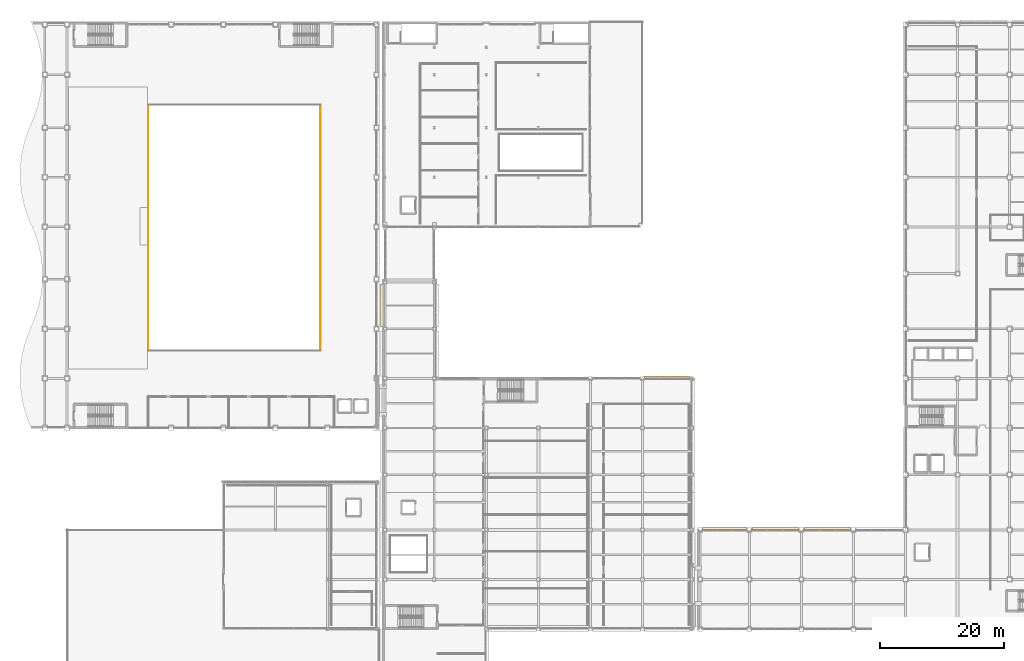
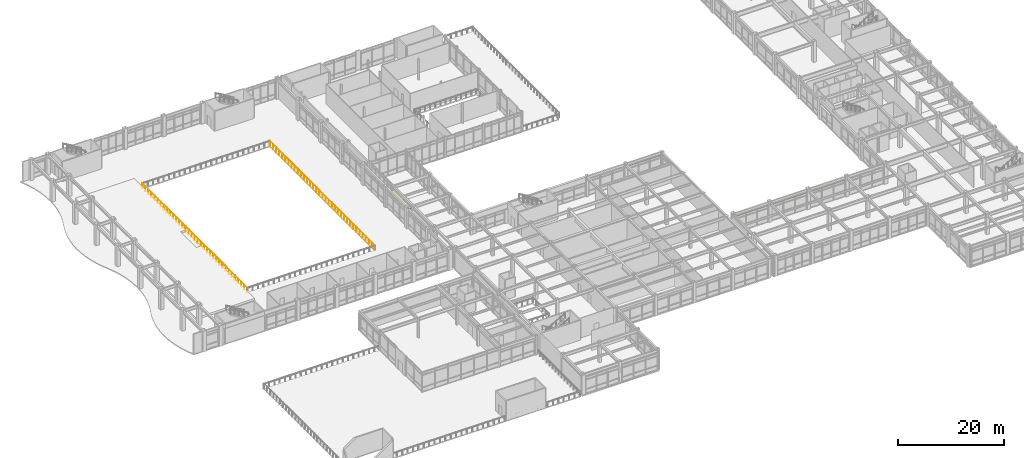
# One storey, part 145 of 154: 5 coverings, 2 railings.
"""IFC4 building model written with IfcOpenShell, lengths in metres."""

from ifc_helpers import new_model, si_unit, direction, frame, origin, origin_2d, place, context, subcontext, project, spatial, rectangle, circle, extrude, material, layer, layer_set, type_object, element, save


model = new_model("IFC4")

# Units and contexts
model_context = context("Model", 3, precision=1e-05, world=origin(), true_north=direction((0.0, 1.0)))
body_context = subcontext(model_context, "Body", "Model", "MODEL_VIEW")
ifc_project = project(units=[si_unit("LENGTHUNIT", "METRE"), si_unit("AREAUNIT", "SQUARE_METRE"), si_unit("VOLUMEUNIT", "CUBIC_METRE"), si_unit("PLANEANGLEUNIT", "RADIAN"), si_unit("MASSUNIT", "GRAM", prefix="KILO")], contexts=[model_context])

# Site, building, storey
site_placement = place(None, origin())
site = spatial("IfcSite", under=ifc_project, at=site_placement, CompositionType="ELEMENT")
building_placement = place(site_placement, origin())
building = spatial("IfcBuilding", under=site, at=building_placement, Name="Kazehara Bluff Congress Hotel", CompositionType="ELEMENT")
storey_placement = place(building_placement, frame((0.0, 0.0, 10.199951171875)))
storey = spatial("IfcBuildingStorey", under=building, at=storey_placement, Name="L02", CompositionType="ELEMENT", Elevation=10.199951171875)

# Coverings
ifc_material_1 = material(Name="Anodised aluminium architectural brise-soleil", Category="aluminium")
ifc_layer = layer(ifc_material_1, 0.10009765625)
ifc_layer_set = layer_set([ifc_layer], Name="Anodised aluminium architectural brise-soleil")
covering_type = type_object("IfcCoveringType", Name="TP-FAC-FIN", PredefinedType="CLADDING", material=ifc_layer_set)
covering_1_placement = place(storey_placement, frame((105.22509765625, 56.590087890625, 3.715087890625), z_axis=(0.0, 0.0, 1.0), x_axis=(1.0, 0.0, 0.0)))
element("IfcCovering", 1, at=covering_1_placement, inside=storey, type_object=covering_type, Name="L02 V4 architectural sun-hood 92", PredefinedType="CLADDING", context=body_context, shape_type="SweptSolid", body=[
    extrude(rectangle(XDim=7.300048828125, YDim=0.52001953125, at=origin_2d()), origin(), (0.0, 0.0, 1.0), 0.10009765625),
])
covering_2_placement = place(storey_placement, frame((59.22998046875, 68.22509765625, 3.715087890625), z_axis=(0.0, 0.0, 1.0), x_axis=(1.0, 0.0, 0.0)))
element("IfcCovering", 2, at=covering_2_placement, inside=storey, type_object=covering_type, Name="L02 V4 architectural sun-hood 96", PredefinedType="CLADDING", context=body_context, shape_type="SweptSolid", body=[
    extrude(rectangle(XDim=0.52001953125, YDim=6.89990234375, at=origin_2d()), origin(), (0.0, 0.0, 1.0), 0.10009765625),
])
covering_3_placement = place(storey_placement, frame((114.52490234375, 32.139892578125, 3.715087890625), z_axis=(0.0, 0.0, 1.0), x_axis=(1.0, 0.0, 0.0)))
element("IfcCovering", 3, at=covering_3_placement, inside=storey, type_object=covering_type, Name="L02 V5 architectural sun-hood 128", PredefinedType="CLADDING", context=body_context, shape_type="SweptSolid", body=[
    extrude(rectangle(XDim=7.14990234375, YDim=0.52001953125, at=origin_2d()), origin(), (0.0, 0.0, 1.0), 0.10009765625),
])
for number, where, z_axis, x_axis, name in (
    (4, (122.699951171875, 32.139892578125, 3.715087890625), (0.0, 0.0, 1.0), (1.0, 0.0, 0.0), "L02 V5 architectural sun-hood 129"),
    (5, (131.10009765625, 32.139892578125, 3.715087890625), (0.0, 0.0, 1.0), (1.0, 0.0, 0.0), "L02 V5 architectural sun-hood 130"),
):
    element("IfcCovering", number, at=place(storey_placement, frame(where, z_axis=z_axis, x_axis=x_axis)), inside=storey, type_object=covering_type, Name=name, PredefinedType="CLADDING", context=body_context, shape_type="SweptSolid", body=[
        extrude(rectangle(XDim=7.60009765625, YDim=0.52001953125, at=origin_2d()), origin(), (0.0, 0.0, 1.0), 0.10009765625),
    ])

# Railings
ifc_material_2 = material(Name="Brushed stainless steel", Category="steel")
railing_type = type_object("IfcRailingType", Name="TP-GRD-INT", PredefinedType="GUARDRAIL", material=ifc_material_2)
railing_1_placement = place(storey_placement, frame((49.300048828125, 60.89990234375, 0.0)))
element("IfcRailing", 6, at=railing_1_placement, inside=storey, type_object=railing_type, Name="L02 V1-VOID void guardrail E", PredefinedType="GUARDRAIL", context=body_context, shape_type="SweptSolid", body=[
    extrude(circle(Radius=0.02392578125, at=origin_2d()), frame((0.0, 0.0, 1.076171875), z_axis=(0.0, 1.0, 0.0), x_axis=(-1.0, 0.0, 0.0)), (0.0, 0.0, 1.0), 39.6201171875),
    extrude(circle(Radius=0.02099609375, at=origin_2d()), origin(), (0.0, 0.0, 1.0), 1.052001953125),
    extrude(circle(Radius=0.02099609375, at=origin_2d()), frame((0.0, 1.165283203125, 0.0)), (0.0, 0.0, 1.0), 1.052001953125),
    extrude(circle(Radius=0.02099609375, at=origin_2d()), frame((0.0, 2.33056640625, 0.0)), (0.0, 0.0, 1.0), 1.052001953125),
    extrude(circle(Radius=0.02099609375, at=origin_2d()), frame((0.0, 3.495849609375, 0.0)), (0.0, 0.0, 1.0), 1.052001953125),
    extrude(circle(Radius=0.02099609375, at=origin_2d()), frame((0.0, 4.6611328125, 0.0)), (0.0, 0.0, 1.0), 1.052001953125),
    extrude(circle(Radius=0.02099609375, at=origin_2d()), frame((0.0, 5.826416015625, 0.0)), (0.0, 0.0, 1.0), 1.052001953125),
    extrude(circle(Radius=0.02099609375, at=origin_2d()), frame((0.0, 6.99169921875, 0.0)), (0.0, 0.0, 1.0), 1.052001953125),
    extrude(circle(Radius=0.02099609375, at=origin_2d()), frame((0.0, 8.156982421875, 0.0)), (0.0, 0.0, 1.0), 1.052001953125),
    extrude(circle(Radius=0.02099609375, at=origin_2d()), frame((0.0, 9.322265625, 0.0)), (0.0, 0.0, 1.0), 1.052001953125),
    extrude(circle(Radius=0.02099609375, at=origin_2d()), frame((0.0, 10.48779296875, 0.0)), (0.0, 0.0, 1.0), 1.052001953125),
    extrude(circle(Radius=0.02099609375, at=origin_2d()), frame((0.0, 11.653076171875, 0.0)), (0.0, 0.0, 1.0), 1.052001953125),
    extrude(circle(Radius=0.02099609375, at=origin_2d()), frame((0.0, 12.818359375, 0.0)), (0.0, 0.0, 1.0), 1.052001953125),
    extrude(circle(Radius=0.02099609375, at=origin_2d()), frame((0.0, 13.983642578125, 0.0)), (0.0, 0.0, 1.0), 1.052001953125),
    extrude(circle(Radius=0.02099609375, at=origin_2d()), frame((0.0, 15.14892578125, 0.0)), (0.0, 0.0, 1.0), 1.052001953125),
    extrude(circle(Radius=0.02099609375, at=origin_2d()), frame((0.0, 16.314208984375, 0.0)), (0.0, 0.0, 1.0), 1.052001953125),
    extrude(circle(Radius=0.02099609375, at=origin_2d()), frame((0.0, 17.4794921875, 0.0)), (0.0, 0.0, 1.0), 1.052001953125),
    extrude(circle(Radius=0.02099609375, at=origin_2d()), frame((0.0, 18.644775390625, 0.0)), (0.0, 0.0, 1.0), 1.052001953125),
    extrude(circle(Radius=0.02099609375, at=origin_2d()), frame((0.0, 19.81005859375, 0.0)), (0.0, 0.0, 1.0), 1.052001953125),
    extrude(circle(Radius=0.02099609375, at=origin_2d()), frame((0.0, 20.975341796875, 0.0)), (0.0, 0.0, 1.0), 1.052001953125),
    extrude(circle(Radius=0.02099609375, at=origin_2d()), frame((0.0, 22.140625, 0.0)), (0.0, 0.0, 1.0), 1.052001953125),
    extrude(circle(Radius=0.02099609375, at=origin_2d()), frame((0.0, 23.305908203125, 0.0)), (0.0, 0.0, 1.0), 1.052001953125),
    extrude(circle(Radius=0.02099609375, at=origin_2d()), frame((0.0, 24.47119140625, 0.0)), (0.0, 0.0, 1.0), 1.052001953125),
    extrude(circle(Radius=0.02099609375, at=origin_2d()), frame((0.0, 25.636474609375, 0.0)), (0.0, 0.0, 1.0), 1.052001953125),
    extrude(circle(Radius=0.02099609375, at=origin_2d()), frame((0.0, 26.8017578125, 0.0)), (0.0, 0.0, 1.0), 1.052001953125),
    extrude(circle(Radius=0.02099609375, at=origin_2d()), frame((0.0, 27.967041015625, 0.0)), (0.0, 0.0, 1.0), 1.052001953125),
    extrude(circle(Radius=0.02099609375, at=origin_2d()), frame((0.0, 29.13232421875, 0.0)), (0.0, 0.0, 1.0), 1.052001953125),
    extrude(circle(Radius=0.02099609375, at=origin_2d()), frame((0.0, 30.2978515625, 0.0)), (0.0, 0.0, 1.0), 1.052001953125),
    extrude(circle(Radius=0.02099609375, at=origin_2d()), frame((0.0, 31.463134765625, 0.0)), (0.0, 0.0, 1.0), 1.052001953125),
    extrude(circle(Radius=0.02099609375, at=origin_2d()), frame((0.0, 32.62841796875, 0.0)), (0.0, 0.0, 1.0), 1.052001953125),
    extrude(circle(Radius=0.02099609375, at=origin_2d()), frame((0.0, 33.793701171875, 0.0)), (0.0, 0.0, 1.0), 1.052001953125),
    extrude(circle(Radius=0.02099609375, at=origin_2d()), frame((0.0, 34.958984375, 0.0)), (0.0, 0.0, 1.0), 1.052001953125),
    extrude(circle(Radius=0.02099609375, at=origin_2d()), frame((0.0, 36.124267578125, 0.0)), (0.0, 0.0, 1.0), 1.052001953125),
    extrude(circle(Radius=0.02099609375, at=origin_2d()), frame((0.0, 37.28955078125, 0.0)), (0.0, 0.0, 1.0), 1.052001953125),
    extrude(circle(Radius=0.02099609375, at=origin_2d()), frame((0.0, 38.454833984375, 0.0)), (0.0, 0.0, 1.0), 1.052001953125),
    extrude(circle(Radius=0.02099609375, at=origin_2d()), frame((0.0, 39.6201171875, 0.0)), (0.0, 0.0, 1.0), 1.052001953125),
])
railing_2_placement = place(storey_placement, frame((21.5, 100.60009765625, 0.0)))
element("IfcRailing", 7, at=railing_2_placement, inside=storey, type_object=railing_type, Name="L02 V1-VOID void guardrail W", PredefinedType="GUARDRAIL", context=body_context, shape_type="SweptSolid", body=[
    extrude(circle(Radius=0.02392578125, at=origin_2d()), frame((0.0, 0.0, 1.076171875), z_axis=(0.0, -1.0, 0.0), x_axis=(1.0, 0.0, 0.0)), (0.0, 0.0, 1.0), 39.6201171875),
    extrude(circle(Radius=0.02099609375, at=origin_2d()), origin(), (0.0, 0.0, 1.0), 1.052001953125),
    extrude(circle(Radius=0.02099609375, at=origin_2d()), frame((0.0, -1.165283203125, 0.0)), (0.0, 0.0, 1.0), 1.052001953125),
    extrude(circle(Radius=0.02099609375, at=origin_2d()), frame((0.0, -2.33056640625, 0.0)), (0.0, 0.0, 1.0), 1.052001953125),
    extrude(circle(Radius=0.02099609375, at=origin_2d()), frame((0.0, -3.495849609375, 0.0)), (0.0, 0.0, 1.0), 1.052001953125),
    extrude(circle(Radius=0.02099609375, at=origin_2d()), frame((0.0, -4.6611328125, 0.0)), (0.0, 0.0, 1.0), 1.052001953125),
    extrude(circle(Radius=0.02099609375, at=origin_2d()), frame((0.0, -5.826416015625, 0.0)), (0.0, 0.0, 1.0), 1.052001953125),
    extrude(circle(Radius=0.02099609375, at=origin_2d()), frame((0.0, -6.99169921875, 0.0)), (0.0, 0.0, 1.0), 1.052001953125),
    extrude(circle(Radius=0.02099609375, at=origin_2d()), frame((0.0, -8.156982421875, 0.0)), (0.0, 0.0, 1.0), 1.052001953125),
    extrude(circle(Radius=0.02099609375, at=origin_2d()), frame((0.0, -9.322265625, 0.0)), (0.0, 0.0, 1.0), 1.052001953125),
    extrude(circle(Radius=0.02099609375, at=origin_2d()), frame((0.0, -10.48779296875, 0.0)), (0.0, 0.0, 1.0), 1.052001953125),
    extrude(circle(Radius=0.02099609375, at=origin_2d()), frame((0.0, -11.653076171875, 0.0)), (0.0, 0.0, 1.0), 1.052001953125),
    extrude(circle(Radius=0.02099609375, at=origin_2d()), frame((0.0, -12.818359375, 0.0)), (0.0, 0.0, 1.0), 1.052001953125),
    extrude(circle(Radius=0.02099609375, at=origin_2d()), frame((0.0, -13.983642578125, 0.0)), (0.0, 0.0, 1.0), 1.052001953125),
    extrude(circle(Radius=0.02099609375, at=origin_2d()), frame((0.0, -15.14892578125, 0.0)), (0.0, 0.0, 1.0), 1.052001953125),
    extrude(circle(Radius=0.02099609375, at=origin_2d()), frame((0.0, -16.314208984375, 0.0)), (0.0, 0.0, 1.0), 1.052001953125),
    extrude(circle(Radius=0.02099609375, at=origin_2d()), frame((0.0, -17.4794921875, 0.0)), (0.0, 0.0, 1.0), 1.052001953125),
    extrude(circle(Radius=0.02099609375, at=origin_2d()), frame((0.0, -18.644775390625, 0.0)), (0.0, 0.0, 1.0), 1.052001953125),
    extrude(circle(Radius=0.02099609375, at=origin_2d()), frame((0.0, -19.81005859375, 0.0)), (0.0, 0.0, 1.0), 1.052001953125),
    extrude(circle(Radius=0.02099609375, at=origin_2d()), frame((0.0, -20.975341796875, 0.0)), (0.0, 0.0, 1.0), 1.052001953125),
    extrude(circle(Radius=0.02099609375, at=origin_2d()), frame((0.0, -22.140625, 0.0)), (0.0, 0.0, 1.0), 1.052001953125),
    extrude(circle(Radius=0.02099609375, at=origin_2d()), frame((0.0, -23.305908203125, 0.0)), (0.0, 0.0, 1.0), 1.052001953125),
    extrude(circle(Radius=0.02099609375, at=origin_2d()), frame((0.0, -24.47119140625, 0.0)), (0.0, 0.0, 1.0), 1.052001953125),
    extrude(circle(Radius=0.02099609375, at=origin_2d()), frame((0.0, -25.636474609375, 0.0)), (0.0, 0.0, 1.0), 1.052001953125),
    extrude(circle(Radius=0.02099609375, at=origin_2d()), frame((0.0, -26.8017578125, 0.0)), (0.0, 0.0, 1.0), 1.052001953125),
    extrude(circle(Radius=0.02099609375, at=origin_2d()), frame((0.0, -27.967041015625, 0.0)), (0.0, 0.0, 1.0), 1.052001953125),
    extrude(circle(Radius=0.02099609375, at=origin_2d()), frame((0.0, -29.13232421875, 0.0)), (0.0, 0.0, 1.0), 1.052001953125),
    extrude(circle(Radius=0.02099609375, at=origin_2d()), frame((0.0, -30.2978515625, 0.0)), (0.0, 0.0, 1.0), 1.052001953125),
    extrude(circle(Radius=0.02099609375, at=origin_2d()), frame((0.0, -31.463134765625, 0.0)), (0.0, 0.0, 1.0), 1.052001953125),
    extrude(circle(Radius=0.02099609375, at=origin_2d()), frame((0.0, -32.62841796875, 0.0)), (0.0, 0.0, 1.0), 1.052001953125),
    extrude(circle(Radius=0.02099609375, at=origin_2d()), frame((0.0, -33.793701171875, 0.0)), (0.0, 0.0, 1.0), 1.052001953125),
    extrude(circle(Radius=0.02099609375, at=origin_2d()), frame((0.0, -34.958984375, 0.0)), (0.0, 0.0, 1.0), 1.052001953125),
    extrude(circle(Radius=0.02099609375, at=origin_2d()), frame((0.0, -36.124267578125, 0.0)), (0.0, 0.0, 1.0), 1.052001953125),
    extrude(circle(Radius=0.02099609375, at=origin_2d()), frame((0.0, -37.28955078125, 0.0)), (0.0, 0.0, 1.0), 1.052001953125),
    extrude(circle(Radius=0.02099609375, at=origin_2d()), frame((0.0, -38.454833984375, 0.0)), (0.0, 0.0, 1.0), 1.052001953125),
    extrude(circle(Radius=0.02099609375, at=origin_2d()), frame((0.0, -39.6201171875, 0.0)), (0.0, 0.0, 1.0), 1.052001953125),
])

save(model, "model.ifc")
